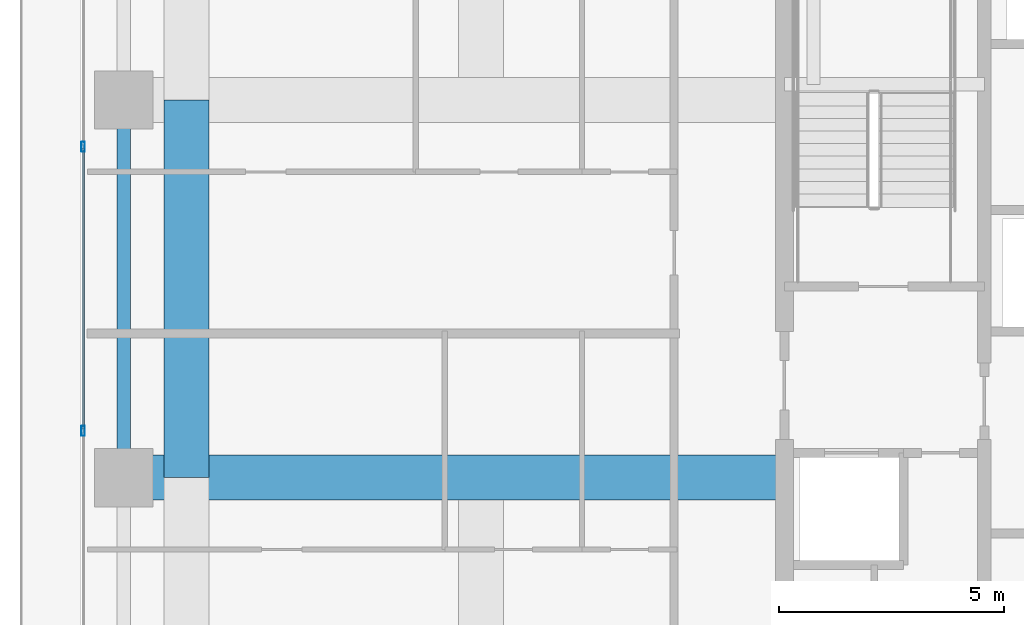
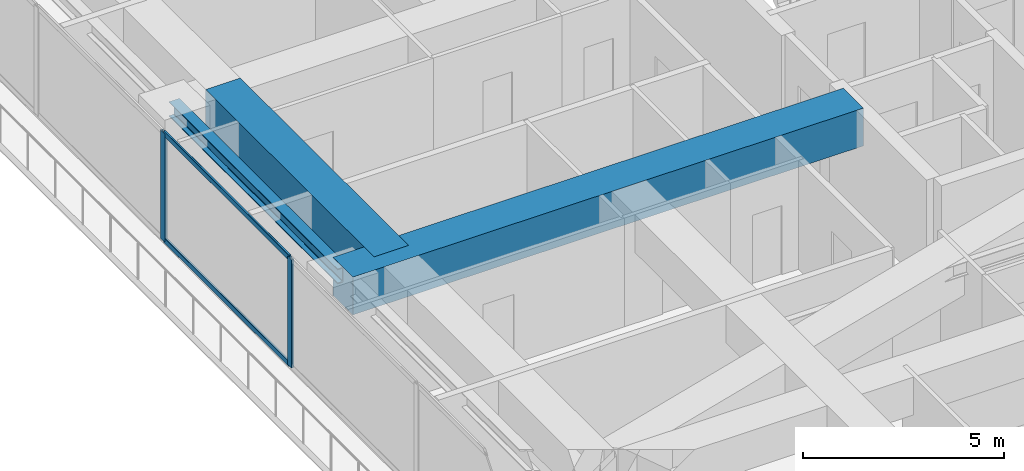
# One storey, part 7 of 32: 4 members, 3 beams, 1 element without a shape of its own.
"""IFC4 building model written with IfcOpenShell, lengths in metres."""

from ifc_helpers import new_model, si_unit, direction, frame, origin, origin_2d, place, context, subcontext, project, spatial, rectangle, hollow_rectangle, i_section, extrude, source, transform, mapped, material, layer, layer_set, material_profile, profile_set, type_object, element, aggregate, save


model = new_model("IFC4")

# Units and contexts
model_context = context("Model", 3, precision=1e-05, world=origin(), true_north=direction((0.0, 1.0)))
body_context = subcontext(model_context, "Body", "Model", "MODEL_VIEW")
ifc_project = project(units=[si_unit("LENGTHUNIT", "METRE"), si_unit("AREAUNIT", "SQUARE_METRE"), si_unit("VOLUMEUNIT", "CUBIC_METRE"), si_unit("PLANEANGLEUNIT", "RADIAN"), si_unit("MASSUNIT", "GRAM", prefix="KILO")], contexts=[model_context])

# Site, building, storey
site_placement = place(None, origin())
site = spatial("IfcSite", under=ifc_project, at=site_placement, CompositionType="ELEMENT")
building_placement = place(site_placement, origin())
building = spatial("IfcBuilding", under=site, at=building_placement, Name="Serunith Strait Residences", CompositionType="ELEMENT")
storey_placement = place(building_placement, frame((0.0, 0.0, 195.14990234375)))
storey = spatial("IfcBuildingStorey", under=building, at=storey_placement, Name="L49", CompositionType="ELEMENT", Elevation=195.14990234375)

# Beams
ifc_material_1 = material(Name="Steel S355J2", Category="steel")
ifc_material_profile_1 = material_profile(ifc_material_1, i_section(OverallWidth=0.300048828125, OverallDepth=0.449951171875, WebThickness=0.013916015625, FlangeThickness=0.02587890625, FilletRadius=0.027099609375, at=origin_2d()), Name="HEB 450")
ifc_profile_set_1 = profile_set([ifc_material_profile_1], Name="Steel S355J2")
beam_type_1 = type_object("IfcBeamType", Name="BM-HEB450", PredefinedType="BEAM", material=ifc_profile_set_1)
shared_shape_1 = source(origin(), body_context, "Body", "SweptSolid", [
    extrude(i_section(OverallWidth=0.300048828125, OverallDepth=0.449951171875, WebThickness=0.013916015625, FlangeThickness=0.02587890625, FilletRadius=0.027099609375, at=origin_2d()), origin(), (0.0, 0.0, 1.0), 8.39990234375),
])
beam_1_placement = place(storey_placement, frame((8.699951171875, 29.39990234375, 3.08203125), z_axis=(0.0, -1.0, 0.0), x_axis=(1.0, 0.0, 0.0)))
element("IfcBeam", 1, at=beam_1_placement, inside=storey, type_object=beam_type_1, Name="L49 Perimeter Ring Beam 14", PredefinedType="BEAM", context=body_context, shape_type="MappedRepresentation", body=[
    mapped(shared_shape_1, transform((0.0, 0.0, 0.0), scale=1.0)),
])
ifc_material_2 = material(Name="Concrete C80/95", Category="concrete")
ifc_material_profile_2 = material_profile(ifc_material_2, rectangle(XDim=1.0, YDim=1.14990234375, at=origin_2d()), Name="RC 1000x1150")
ifc_profile_set_2 = profile_set([ifc_material_profile_2], Name="Concrete C80/95")
beam_type_2 = type_object("IfcBeamType", Name="BM-XFER-1000x1150", PredefinedType="BEAM", material=ifc_profile_set_2)
shared_shape_2 = source(origin(), body_context, "Body", "SweptSolid", [
    extrude(rectangle(XDim=1.0, YDim=1.14990234375, at=origin_2d()), origin(), (0.0, 0.0, 1.0), 8.39990234375),
])
beam_2_placement = place(storey_placement, frame((10.10009765625, 29.39990234375, 2.735107421875), z_axis=(0.0, -1.0, 0.0), x_axis=(1.0, 0.0, 0.0)))
element("IfcBeam", 2, at=beam_2_placement, inside=storey, type_object=beam_type_2, Name="L49 Flare Upper Ring Transfer Girder 14", PredefinedType="BEAM", context=body_context, shape_type="MappedRepresentation", body=[
    mapped(shared_shape_2, transform((0.0, 0.0, 0.0), scale=1.0)),
])
shared_shape_3 = source(origin(), body_context, "Body", "SweptSolid", [
    extrude(rectangle(XDim=1.0, YDim=1.14990234375, at=origin_2d()), origin(), (0.0, 0.0, 1.0), 14.699951171875),
])
beam_3_placement = place(storey_placement, frame((23.39990234375, 21.0, 2.735107421875), z_axis=(-1.0, 0.0, 0.0), x_axis=(0.0, -1.0, 0.0)))
element("IfcBeam", 3, at=beam_3_placement, inside=storey, type_object=beam_type_2, Name="L49 Primary Floor Girder TC-W2", PredefinedType="BEAM", context=body_context, shape_type="MappedRepresentation", body=[
    mapped(shared_shape_3, transform((0.0, 0.0, 0.0), scale=1.0)),
])

# Curtain wall, members
ifc_material_3 = material(Name="Pale-Silver PVDF Aluminium", Category="aluminium")
ifc_layer = layer(ifc_material_3, 0.199951171875, Name="Pale-Silver PVDF Aluminium")
ifc_layer_set = layer_set([ifc_layer], Name="Pale-Silver PVDF Aluminium")
curtain_wall_type = type_object("IfcCurtainWallType", Name="CW-SYS3", PredefinedType="NOTDEFINED", material=ifc_layer_set)
curtain_wall_placement = place(storey_placement, origin())
curtain_wall = element("IfcCurtainWall", 4, at=curtain_wall_placement, inside=storey, type_object=curtain_wall_type, Name="L49 W Unitised Fritted Curtain Wall", PredefinedType="NOTDEFINED")
ifc_material_profile_3 = material_profile(ifc_material_3, hollow_rectangle(XDim=0.06005859375, YDim=0.159912109375, WallThickness=0.00341796875, InnerFilletRadius=0.00537109375, OuterFilletRadius=0.0087890625, at=origin_2d()), Name="ALU 160x60x3.5")
ifc_profile_set_3 = profile_set([ifc_material_profile_3], Name="Pale-Silver PVDF Aluminium")
member_type_1 = type_object("IfcMemberType", Name="CW-SYS3-TRAN", PredefinedType="USERDEFINED", material=ifc_profile_set_3)
shared_shape_4 = source(origin(), body_context, "Body", "SweptSolid", [
    extrude(hollow_rectangle(XDim=0.06005859375, YDim=0.159912109375, WallThickness=0.00341796875, InnerFilletRadius=0.00537109375, OuterFilletRadius=0.0087890625, at=origin_2d()), origin(), (0.0, 0.0, 1.0), 6.2451171875),
])
member_1_placement = place(storey_placement, frame((7.800048828125, 28.322509765625, 0.030029296875), z_axis=(0.0, -1.0, 0.0), x_axis=(1.0, 0.0, 0.0)))
member_1 = element("IfcMember", 5, at=member_1_placement, type_object=member_type_1, Name="CW-3 transom 3.1", ObjectType="TRANSOM", PredefinedType="USERDEFINED", context=body_context, shape_type="MappedRepresentation", body=[
    mapped(shared_shape_4, transform((0.0, 0.0, 0.0), scale=1.0)),
])
member_2_placement = place(storey_placement, frame((7.800048828125, 28.322509765625, 3.26513671875), z_axis=(0.0, -1.0, 0.0), x_axis=(1.0, 0.0, 0.0)))
member_2 = element("IfcMember", 6, at=member_2_placement, type_object=member_type_1, Name="CW-3 transom 3.2", ObjectType="TRANSOM", PredefinedType="USERDEFINED", context=body_context, shape_type="MappedRepresentation", body=[
    mapped(shared_shape_4, transform((0.0, 0.0, 0.0), scale=1.0)),
])
ifc_material_profile_4 = material_profile(ifc_material_3, hollow_rectangle(XDim=0.074951171875, YDim=0.219970703125, WallThickness=0.00390625, InnerFilletRadius=0.006103515625, OuterFilletRadius=0.010009765625, at=origin_2d()), Name="ALU 220x75x4")
ifc_profile_set_4 = profile_set([ifc_material_profile_4], Name="Pale-Silver PVDF Aluminium")
member_type_2 = type_object("IfcMemberType", Name="CW-SYS3-MULL", PredefinedType="MULLION", material=ifc_profile_set_4)
shared_shape_5 = source(origin(), body_context, "Body", "SweptSolid", [
    extrude(hollow_rectangle(XDim=0.074951171875, YDim=0.219970703125, WallThickness=0.00390625, InnerFilletRadius=0.006103515625, OuterFilletRadius=0.010009765625, at=origin_2d()), origin(), (0.0, 0.0, 1.0), 3.295166015625),
])
member_3_placement = place(storey_placement, frame((7.800048828125, 28.360107421875, 0.0), z_axis=(0.0, 0.0, 1.0), x_axis=(1.0, 0.0, 0.0)))
member_3 = element("IfcMember", 7, at=member_3_placement, type_object=member_type_2, Name="CW-3 mullion 3", PredefinedType="MULLION", context=body_context, shape_type="MappedRepresentation", body=[
    mapped(shared_shape_5, transform((0.0, 0.0, 0.0), scale=1.0)),
])
member_4_placement = place(storey_placement, frame((7.800048828125, 22.0400390625, 0.0), z_axis=(0.0, 0.0, 1.0), x_axis=(1.0, 0.0, 0.0)))
member_4 = element("IfcMember", 8, at=member_4_placement, type_object=member_type_2, Name="CW-3 mullion 4", PredefinedType="MULLION", context=body_context, shape_type="MappedRepresentation", body=[
    mapped(shared_shape_5, transform((0.0, 0.0, 0.0), scale=1.0)),
])
aggregate(curtain_wall, [member_3, member_4, member_1, member_2])

save(model, "model.ifc")
